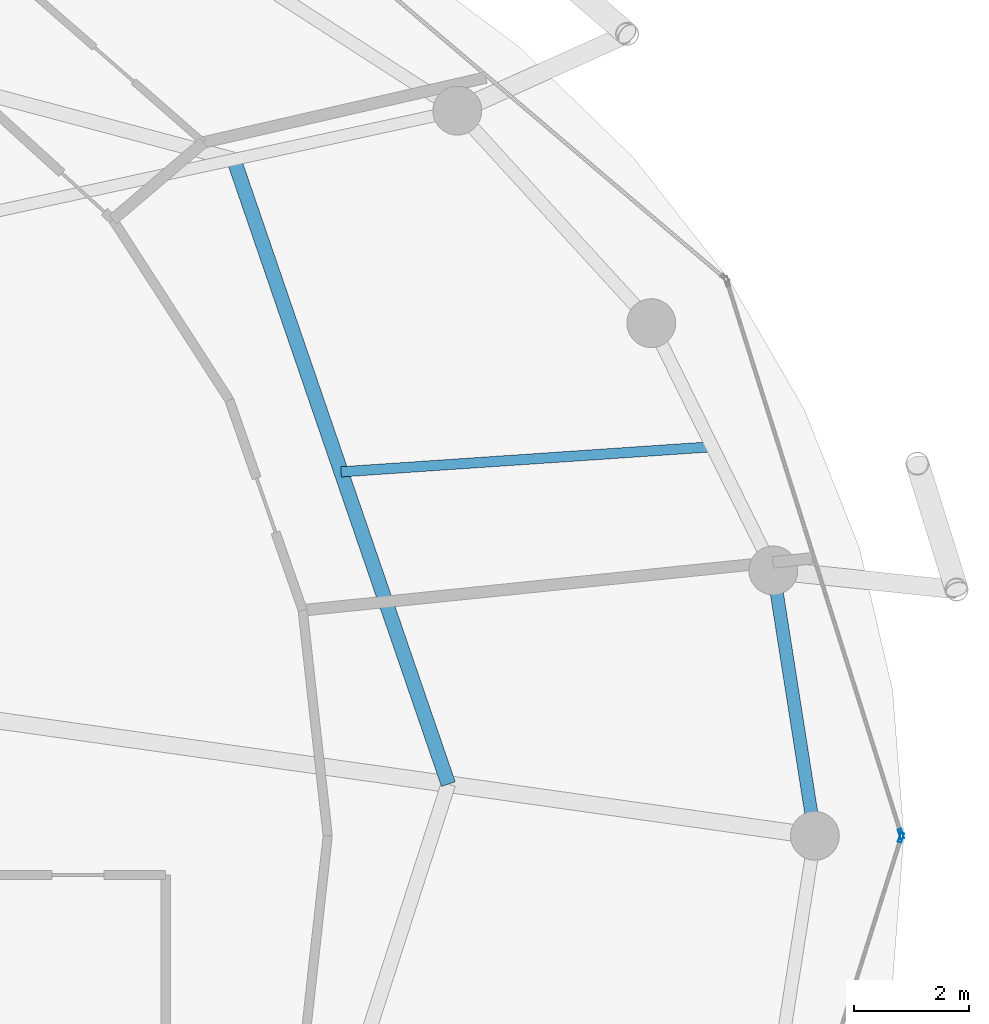
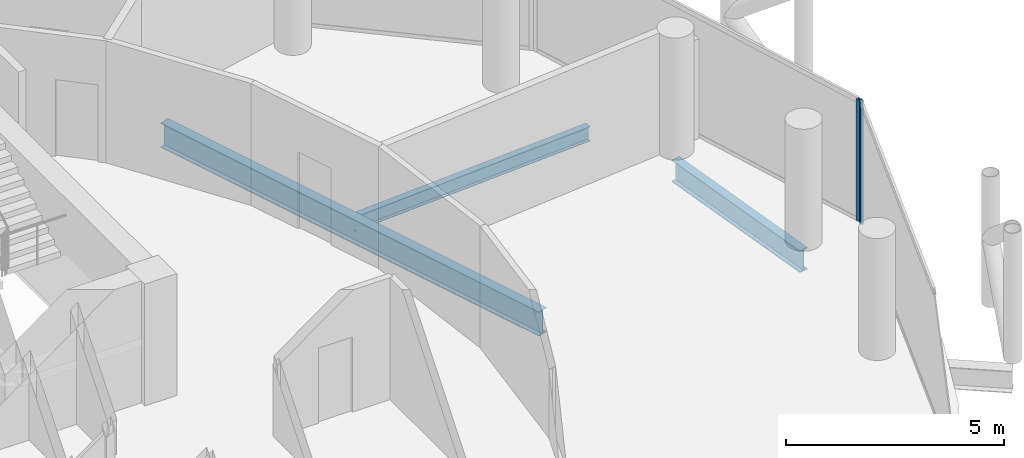
# One storey, part 15 of 27: 3 beams, 2 members, 2 elements without a shape of their own.
"""IFC4 building model written with IfcOpenShell, lengths in metres."""

from ifc_helpers import new_model, si_unit, direction, frame, origin, origin_2d, place, context, subcontext, project, spatial, hollow_rectangle, i_section, extrude, material, layer, layer_set, material_profile, profile_set, type_object, element, aggregate, save


model = new_model("IFC4")

# Units and contexts
model_context = context("Model", 3, precision=1e-05, world=origin(), true_north=direction((0.0, 1.0)))
body_context = subcontext(model_context, "Body", "Model", "MODEL_VIEW")
ifc_project = project(units=[si_unit("LENGTHUNIT", "METRE"), si_unit("AREAUNIT", "SQUARE_METRE"), si_unit("VOLUMEUNIT", "CUBIC_METRE"), si_unit("PLANEANGLEUNIT", "RADIAN"), si_unit("MASSUNIT", "GRAM", prefix="KILO")], contexts=[model_context])

# Site, building, storey
site_placement = place(None, origin())
site = spatial("IfcSite", under=ifc_project, at=site_placement, CompositionType="ELEMENT")
building_placement = place(site_placement, origin())
building = spatial("IfcBuilding", under=site, at=building_placement, Name="Nuhasar Tower", CompositionType="ELEMENT")
storey_placement = place(building_placement, frame((0.0, 0.0, 211.800048828125)))
storey = spatial("IfcBuildingStorey", under=building, at=storey_placement, Name="L51", CompositionType="ELEMENT", Elevation=211.800048828125)

# Beams
ifc_material_1 = material(Name="Steel S355", Category="steel")
ifc_material_profile_1 = material_profile(ifc_material_1, i_section(OverallWidth=0.25390625, OverallDepth=0.68408203125, WebThickness=0.012451171875, FlangeThickness=0.018798828125, at=origin_2d()), Name="W27X94")
ifc_profile_set_1 = profile_set([ifc_material_profile_1], Name="Steel S355")
beam_type_1 = type_object("IfcBeamType", Name="BM-INRING-W27X94", PredefinedType="BEAM", material=ifc_profile_set_1)
beam_1_placement = place(storey_placement, frame((53.8701171875, 27.699951171875, -0.58203125), z_axis=(-0.324809117642, 0.945779592239, 0.0), x_axis=(-0.945779592239, -0.324809117642, 0.0)))
element("IfcBeam", 1, at=beam_1_placement, inside=storey, type_object=beam_type_1, Name="L51 Inner Header Beam 04", PredefinedType="BEAM", context=body_context, shape_type="SweptSolid", body=[
    extrude(i_section(OverallWidth=0.25390625, OverallDepth=0.68408203125, WebThickness=0.012451171875, FlangeThickness=0.018798828125, at=origin_2d()), origin(), (0.0, 0.0, 1.0), 11.496337890625),
])
ifc_material_profile_2 = material_profile(ifc_material_1, i_section(OverallWidth=0.177978515625, OverallDepth=0.406005859375, WebThickness=0.0078125, FlangeThickness=0.0126953125, at=origin_2d()), Name="W16X40")
ifc_profile_set_2 = profile_set([ifc_material_profile_2], Name="Steel S355")
beam_type_2 = type_object("IfcBeamType", Name="BM-JST-W16X40", PredefinedType="JOIST", material=ifc_profile_set_2)
beam_2_placement = place(storey_placement, frame((52.0029296875, 33.135986328125, -0.443115234375), z_axis=(0.997721156568, 0.067472170095, 0.0), x_axis=(-0.067472170095, 0.997721156568, 0.0)))
element("IfcBeam", 2, at=beam_2_placement, inside=storey, type_object=beam_type_2, Name="L51 Secondary Floor Joist 04", PredefinedType="JOIST", context=body_context, shape_type="SweptSolid", body=[
    extrude(i_section(OverallWidth=0.177978515625, OverallDepth=0.406005859375, WebThickness=0.0078125, FlangeThickness=0.0126953125, at=origin_2d()), origin(), (0.0, 0.0, 1.0), 6.476806640625),
])
ifc_material_profile_3 = material_profile(ifc_material_1, i_section(OverallWidth=0.22802734375, OverallDepth=0.60791015625, WebThickness=0.01123046875, FlangeThickness=0.017333984375, at=origin_2d()), Name="W24X76")
ifc_profile_set_3 = profile_set([ifc_material_profile_3], Name="Steel S355")
beam_type_3 = type_object("IfcBeamType", Name="BM-RING-W24X76", PredefinedType="SPANDREL", material=ifc_profile_set_3)
beam_3_placement = place(storey_placement, frame((60.25, 26.800048828125, -0.5439453125), z_axis=(-0.154849872935, 0.987938012657, 0.0), x_axis=(-0.987938012657, -0.154849872935, 0.0)))
element("IfcBeam", 3, at=beam_3_placement, inside=storey, type_object=beam_type_3, Name="L51 Perimeter Ring Spandrel 01", PredefinedType="SPANDREL", context=body_context, shape_type="SweptSolid", body=[
    extrude(i_section(OverallWidth=0.22802734375, OverallDepth=0.60791015625, WebThickness=0.01123046875, FlangeThickness=0.017333984375, at=origin_2d()), origin(), (0.0, 0.0, 1.0), 4.67626953125),
])

# Curtain wall, member
ifc_material_2 = material(Name="Aluminium 6063-T6", Category="aluminium")
ifc_layer = layer(ifc_material_2, 0.18994140625)
ifc_layer_set = layer_set([ifc_layer], Name="Aluminium 6063-T6")
curtain_wall_type = type_object("IfcCurtainWallType", Name="CW-Z3-RES", PredefinedType="NOTDEFINED", material=ifc_layer_set)
curtain_wall_1_placement = place(storey_placement, origin())
curtain_wall_1 = element("IfcCurtainWall", 4, at=curtain_wall_1_placement, inside=storey, type_object=curtain_wall_type, Name="L51 Unitised Curtain Wall 01", PredefinedType="NOTDEFINED")
ifc_material_profile_4 = material_profile(ifc_material_2, hollow_rectangle(XDim=0.06494140625, YDim=0.169921875, WallThickness=0.0048828125, at=origin_2d()), Name="CWM-4")
ifc_profile_set_4 = profile_set([ifc_material_profile_4], Name="Aluminium 6063-T6")
member_type = type_object("IfcMemberType", Name="CW-MUL-S4", PredefinedType="MULLION", material=ifc_profile_set_4)
member_1_placement = place(storey_placement, frame((61.750244140625, 26.8310546875, 0.0), z_axis=(0.0, 0.0, 1.0), x_axis=(-0.95380429279, -0.30042864553, 0.0)))
member_1 = element("IfcMember", 5, at=member_1_placement, type_object=member_type, Name="CW-Z3 mullion 1", PredefinedType="MULLION", context=body_context, shape_type="SweptSolid", body=[
    extrude(hollow_rectangle(XDim=0.06494140625, YDim=0.169921875, WallThickness=0.0048828125, at=origin_2d()), origin(), (0.0, 0.0, 1.0), 3.409912109375),
])
aggregate(curtain_wall_1, [member_1])

curtain_wall_2_placement = place(storey_placement, origin())
curtain_wall_2 = element("IfcCurtainWall", 6, at=curtain_wall_2_placement, inside=storey, type_object=curtain_wall_type, Name="L51 Unitised Curtain Wall 12", PredefinedType="NOTDEFINED")
member_2_placement = place(storey_placement, frame((61.750244140625, 26.76904296875, 0.0), z_axis=(0.0, 0.0, 1.0), x_axis=(-0.95380429279, 0.30042864553, 0.0)))
member_2 = element("IfcMember", 7, at=member_2_placement, type_object=member_type, Name="CW-Z3 mullion 2", PredefinedType="MULLION", context=body_context, shape_type="SweptSolid", body=[
    extrude(hollow_rectangle(XDim=0.06494140625, YDim=0.169921875, WallThickness=0.0048828125, at=origin_2d()), origin(), (0.0, 0.0, 1.0), 3.409912109375),
])
aggregate(curtain_wall_2, [member_2])

save(model, "model.ifc")
